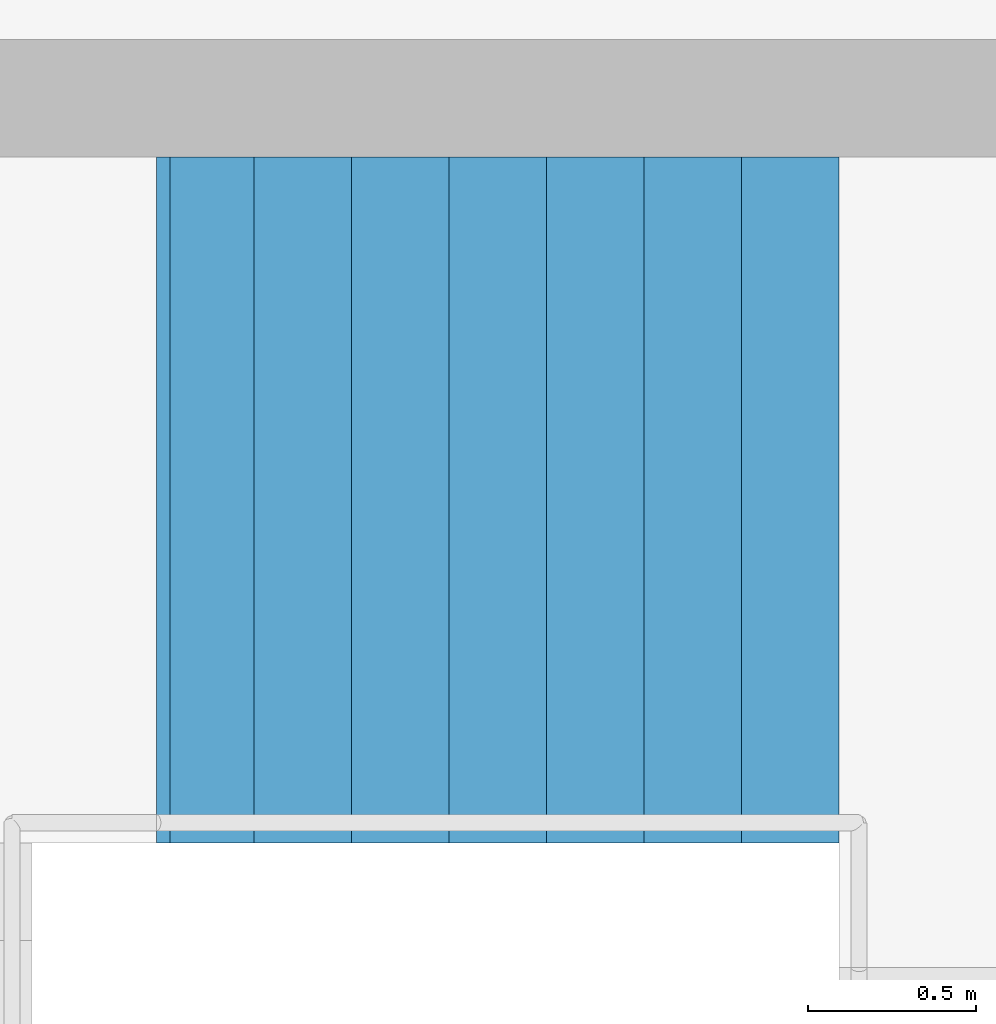
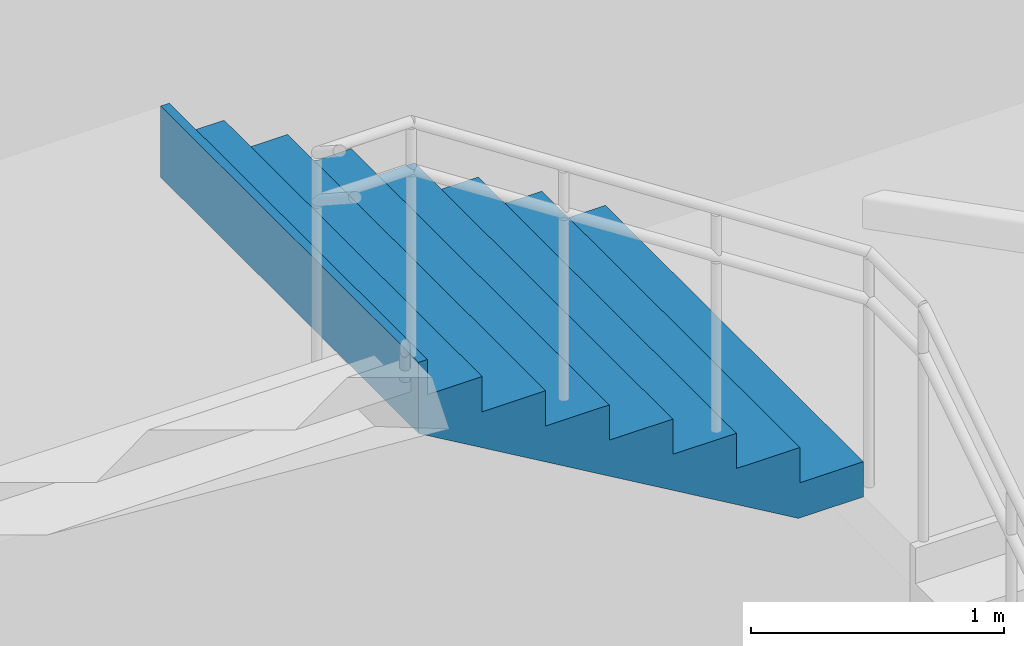
# One storey, part 41 of 50: 1 stair flight, 1 element without a shape of its own.
"""IFC4 building model written with IfcOpenShell, lengths in metres."""

from ifc_helpers import new_model, si_unit, direction, frame, origin, place, context, subcontext, project, spatial, triangles, material, type_object, element, aggregate, save


model = new_model("IFC4")

# Units and contexts
model_context = context("Model", 3, precision=1e-05, world=origin(), true_north=direction((0.0, 1.0)))
body_context = subcontext(model_context, "Body", "Model", "MODEL_VIEW")
ifc_project = project(units=[si_unit("LENGTHUNIT", "METRE"), si_unit("AREAUNIT", "SQUARE_METRE"), si_unit("VOLUMEUNIT", "CUBIC_METRE"), si_unit("PLANEANGLEUNIT", "RADIAN"), si_unit("MASSUNIT", "GRAM", prefix="KILO")], contexts=[model_context])

# Site, building, storey
site_placement = place(None, origin())
site = spatial("IfcSite", under=ifc_project, at=site_placement, CompositionType="ELEMENT")
building_placement = place(site_placement, origin())
building = spatial("IfcBuilding", under=site, at=building_placement, Name="Sillaruma Civic Art Gallery", CompositionType="ELEMENT")
storey_placement = place(building_placement, origin())
storey = spatial("IfcBuildingStorey", under=building, at=storey_placement, Name="L00", CompositionType="ELEMENT", Elevation=0.0)

# Stair, stair flight
ifc_material = material(Name="Concrete H35 (35 MPa)", Category="concrete")
stair_type = type_object("IfcStairType", Name="STR-4F-32", PredefinedType="USERDEFINED", material=ifc_material)
stair_placement = place(storey_placement, origin())
stair = element("IfcStair", 1, at=stair_placement, inside=storey, type_object=stair_type, Name="Protected Exit Stair ST-02 (West Bar North) (L00)", ObjectType="THREE_RETURN_STAIR", PredefinedType="USERDEFINED")
stair_flight_type = type_object("IfcStairFlightType", Name="SFL-STR-8", PredefinedType="STRAIGHT", material=ifc_material)
stair_flight_placement = place(storey_placement, frame((67.199951171875, 86.3701171875, 2.719970703125), z_axis=(0.0, 0.0, 1.0), x_axis=(-1.0, 0.0, 0.0)))
stair_flight = element("IfcStairFlight", 2, at=stair_flight_placement, type_object=stair_flight_type, Name="ST-02 flight 3", NumberOfRisers=8, NumberOfTreads=7, PredefinedType="STRAIGHT", RiserHeight=0.17, TreadLength=0.29, context=body_context, shape_type="Tessellation", body=[
    triangles([(0.0, -1.02001953125, 0.0), (0.29, -1.02001953125, 0.0), (0.296443, -1.02001953125, 0.0), (0.58, -1.02001953125, 0.166223), (0.87, -1.02001953125, 0.336223), (1.16, -1.02001953125, 0.506223), (1.45, -1.02001953125, 0.676223), (1.74, -1.02001953125, 0.846223), (1.990029, -1.02001953125, 0.992792), (2.030029, -1.02001953125, 1.01624), (2.030029, -1.02001953125, 1.36), (1.990029, -1.02001953125, 1.36), (1.990029, -1.02001953125, 1.19), (1.74, -1.02001953125, 1.19), (1.74, -1.02001953125, 1.02), (1.45, -1.02001953125, 1.02), (1.45, -1.02001953125, 0.85), (1.16, -1.02001953125, 0.85), (1.16, -1.02001953125, 0.68), (0.87, -1.02001953125, 0.68), (0.87, -1.02001953125, 0.51), (0.58, -1.02001953125, 0.51), (0.58, -1.02001953125, 0.34), (0.296443, -1.02001953125, 0.34), (0.29, -1.02001953125, 0.34), (0.29, -1.02001953125, 0.17), (0.0, -1.02001953125, 0.17), (0.0, -0.05, 0.0), (0.29, -0.05, 0.0), (0.296443, -0.05, 0.0), (0.58, -0.05, 0.166223), (0.87, -0.05, 0.336223), (1.16, -0.05, 0.506223), (1.45, -0.05, 0.676223), (1.74, -0.05, 0.846223), (1.990029, -0.05, 0.992792), (2.030029, -0.05, 1.01624), (2.030029, -0.05, 1.36), (1.990029, -0.05, 1.36), (1.990029, -0.05, 1.19), (1.74, -0.05, 1.19), (1.74, -0.05, 1.02), (1.45, -0.05, 1.02), (1.45, -0.05, 0.85), (1.16, -0.05, 0.85), (1.16, -0.05, 0.68), (0.87, -0.05, 0.68), (0.87, -0.05, 0.51), (0.58, -0.05, 0.51), (0.58, -0.05, 0.34), (0.296443, -0.05, 0.34), (0.29, -0.05, 0.34), (0.29, -0.05, 0.17), (0.0, -0.05, 0.17), (0.0, -0.0375, 0.0), (0.29, -0.0375, 0.0), (0.296443, -0.0375, 0.0), (0.58, -0.0375, 0.166223), (0.87, -0.0375, 0.336223), (1.16, -0.0375, 0.506223), (1.45, -0.0375, 0.676223), (1.74, -0.0375, 0.846223), (1.990029, -0.0375, 0.992792), (2.030029, -0.0375, 1.01624), (2.030029, -0.0375, 1.36), (1.990029, -0.0375, 1.36), (1.990029, -0.0375, 1.19), (1.74, -0.0375, 1.19), (1.74, -0.0375, 1.02), (1.45, -0.0375, 1.02), (1.45, -0.0375, 0.85), (1.16, -0.0375, 0.85), (1.16, -0.0375, 0.68), (0.87, -0.0375, 0.68), (0.87, -0.0375, 0.51), (0.58, -0.0375, 0.51), (0.58, -0.0375, 0.34), (0.296443, -0.0375, 0.34), (0.29, -0.0375, 0.34), (0.29, -0.0375, 0.17), (0.0, -0.0375, 0.17), (0.0, -0.025, 0.0), (0.29, -0.025, 0.0), (0.296443, -0.025, 0.0), (0.58, -0.025, 0.166223), (0.87, -0.025, 0.336223), (1.16, -0.025, 0.506223), (1.45, -0.025, 0.676223), (1.74, -0.025, 0.846223), (1.990029, -0.025, 0.992792), (2.030029, -0.025, 1.01624), (2.030029, -0.025, 1.36), (1.990029, -0.025, 1.36), (1.990029, -0.025, 1.19), (1.74, -0.025, 1.19), (1.74, -0.025, 1.02), (1.45, -0.025, 1.02), (1.45, -0.025, 0.85), (1.16, -0.025, 0.85), (1.16, -0.025, 0.68), (0.87, -0.025, 0.68), (0.87, -0.025, 0.51), (0.58, -0.025, 0.51), (0.58, -0.025, 0.34), (0.296443, -0.025, 0.34), (0.29, -0.025, 0.34), (0.29, -0.025, 0.17), (0.0, -0.025, 0.17), (0.0, -0.0125, 0.0), (0.29, -0.0125, 0.0), (0.296443, -0.0125, 0.0), (0.58, -0.0125, 0.166223), (0.87, -0.0125, 0.336223), (1.16, -0.0125, 0.506223), (1.45, -0.0125, 0.676223), (1.74, -0.0125, 0.846223), (1.990029, -0.0125, 0.992792), (2.030029, -0.0125, 1.01624), (2.030029, -0.0125, 1.36), (1.990029, -0.0125, 1.36), (1.990029, -0.0125, 1.19), (1.74, -0.0125, 1.19), (1.74, -0.0125, 1.02), (1.45, -0.0125, 1.02), (1.45, -0.0125, 0.85), (1.16, -0.0125, 0.85), (1.16, -0.0125, 0.68), (0.87, -0.0125, 0.68), (0.87, -0.0125, 0.51), (0.58, -0.0125, 0.51), (0.58, -0.0125, 0.34), (0.296443, -0.0125, 0.34), (0.29, -0.0125, 0.34), (0.29, -0.0125, 0.17), (0.0, -0.0125, 0.17), (0.0, 0.0, 0.0), (0.29, 0.0, 0.0), (0.296443, 0.0, 0.0), (0.58, 0.0, 0.166223), (0.87, 0.0, 0.336223), (1.16, 0.0, 0.506223), (1.45, 0.0, 0.676223), (1.74, 0.0, 0.846223), (1.990029, 0.0, 0.992792), (2.030029, 0.0, 1.01624), (2.030029, 0.0, 1.36), (1.990029, 0.0, 1.36), (1.990029, 0.0, 1.19), (1.74, 0.0, 1.19), (1.74, 0.0, 1.02), (1.45, 0.0, 1.02), (1.45, 0.0, 0.85), (1.16, 0.0, 0.85), (1.16, 0.0, 0.68), (0.87, 0.0, 0.68), (0.87, 0.0, 0.51), (0.58, 0.0, 0.51), (0.58, 0.0, 0.34), (0.296443, 0.0, 0.34), (0.29, 0.0, 0.34), (0.29, 0.0, 0.17), (0.0, 0.0, 0.17), (0.0, 0.0125, 0.0), (0.29, 0.0125, 0.0), (0.296443, 0.0125, 0.0), (0.58, 0.0125, 0.166223), (0.87, 0.0125, 0.336223), (1.16, 0.0125, 0.506223), (1.45, 0.0125, 0.676223), (1.74, 0.0125, 0.846223), (1.990029, 0.0125, 0.992792), (2.030029, 0.0125, 1.01624), (2.030029, 0.0125, 1.36), (1.990029, 0.0125, 1.36), (1.990029, 0.0125, 1.19), (1.74, 0.0125, 1.19), (1.74, 0.0125, 1.02), (1.45, 0.0125, 1.02), (1.45, 0.0125, 0.85), (1.16, 0.0125, 0.85), (1.16, 0.0125, 0.68), (0.87, 0.0125, 0.68), (0.87, 0.0125, 0.51), (0.58, 0.0125, 0.51), (0.58, 0.0125, 0.34), (0.296443, 0.0125, 0.34), (0.29, 0.0125, 0.34), (0.29, 0.0125, 0.17), (0.0, 0.0125, 0.17), (0.0, 0.025, 0.0), (0.29, 0.025, 0.0), (0.296443, 0.025, 0.0), (0.58, 0.025, 0.166223), (0.87, 0.025, 0.336223), (1.16, 0.025, 0.506223), (1.45, 0.025, 0.676223), (1.74, 0.025, 0.846223), (1.990029, 0.025, 0.992792), (2.030029, 0.025, 1.01624), (2.030029, 0.025, 1.36), (1.990029, 0.025, 1.36), (1.990029, 0.025, 1.19), (1.74, 0.025, 1.19), (1.74, 0.025, 1.02), (1.45, 0.025, 1.02), (1.45, 0.025, 0.85), (1.16, 0.025, 0.85), (1.16, 0.025, 0.68), (0.87, 0.025, 0.68), (0.87, 0.025, 0.51), (0.58, 0.025, 0.51), (0.58, 0.025, 0.34), (0.296443, 0.025, 0.34), (0.29, 0.025, 0.34), (0.29, 0.025, 0.17), (0.0, 0.025, 0.17), (0.0, 0.0375, 0.0), (0.29, 0.0375, 0.0), (0.296443, 0.0375, 0.0), (0.58, 0.0375, 0.166223), (0.87, 0.0375, 0.336223), (1.16, 0.0375, 0.506223), (1.45, 0.0375, 0.676223), (1.74, 0.0375, 0.846223), (1.990029, 0.0375, 0.992792), (2.030029, 0.0375, 1.01624), (2.030029, 0.0375, 1.36), (1.990029, 0.0375, 1.36), (1.990029, 0.0375, 1.19), (1.74, 0.0375, 1.19), (1.74, 0.0375, 1.02), (1.45, 0.0375, 1.02), (1.45, 0.0375, 0.85), (1.16, 0.0375, 0.85), (1.16, 0.0375, 0.68), (0.87, 0.0375, 0.68), (0.87, 0.0375, 0.51), (0.58, 0.0375, 0.51), (0.58, 0.0375, 0.34), (0.296443, 0.0375, 0.34), (0.29, 0.0375, 0.34), (0.29, 0.0375, 0.17), (0.0, 0.0375, 0.17), (0.0, 0.05, 0.0), (0.29, 0.05, 0.0), (0.296443, 0.05, 0.0), (0.58, 0.05, 0.166223), (0.87, 0.05, 0.336223), (1.16, 0.05, 0.506223), (1.45, 0.05, 0.676223), (1.74, 0.05, 0.846223), (1.990029, 0.05, 0.992792), (2.030029, 0.05, 1.01624), (2.030029, 0.05, 1.36), (1.990029, 0.05, 1.36), (1.990029, 0.05, 1.19), (1.74, 0.05, 1.19), (1.74, 0.05, 1.02), (1.45, 0.05, 1.02), (1.45, 0.05, 0.85), (1.16, 0.05, 0.85), (1.16, 0.05, 0.68), (0.87, 0.05, 0.68), (0.87, 0.05, 0.51), (0.58, 0.05, 0.51), (0.58, 0.05, 0.34), (0.296443, 0.05, 0.34), (0.29, 0.05, 0.34), (0.29, 0.05, 0.17), (0.0, 0.05, 0.17), (0.0, 1.02001953125, 0.0), (0.29, 1.02001953125, 0.0), (0.296443, 1.02001953125, 0.0), (0.58, 1.02001953125, 0.166223), (0.87, 1.02001953125, 0.336223), (1.16, 1.02001953125, 0.506223), (1.45, 1.02001953125, 0.676223), (1.74, 1.02001953125, 0.846223), (1.990029, 1.02001953125, 0.992792), (2.030029, 1.02001953125, 1.01624), (2.030029, 1.02001953125, 1.36), (1.990029, 1.02001953125, 1.36), (1.990029, 1.02001953125, 1.19), (1.74, 1.02001953125, 1.19), (1.74, 1.02001953125, 1.02), (1.45, 1.02001953125, 1.02), (1.45, 1.02001953125, 0.85), (1.16, 1.02001953125, 0.85), (1.16, 1.02001953125, 0.68), (0.87, 1.02001953125, 0.68), (0.87, 1.02001953125, 0.51), (0.58, 1.02001953125, 0.51), (0.58, 1.02001953125, 0.34), (0.296443, 1.02001953125, 0.34), (0.29, 1.02001953125, 0.34), (0.29, 1.02001953125, 0.17), (0.0, 1.02001953125, 0.17)], [[1, 2, 26], [1, 26, 27], [2, 3, 24], [2, 24, 26], [26, 24, 25], [3, 4, 23], [3, 23, 24], [4, 5, 21], [4, 21, 23], [23, 21, 22], [5, 6, 19], [5, 19, 21], [21, 19, 20], [6, 7, 17], [6, 17, 19], [19, 17, 18], [7, 8, 15], [7, 15, 17], [17, 15, 16], [8, 9, 13], [8, 13, 15], [15, 13, 14], [9, 10, 11], [9, 11, 13], [13, 11, 12], [296, 272, 271], [297, 296, 271], [294, 273, 272], [296, 294, 272], [295, 294, 296], [293, 274, 273], [294, 293, 273], [291, 275, 274], [293, 291, 274], [292, 291, 293], [289, 276, 275], [291, 289, 275], [290, 289, 291], [287, 277, 276], [289, 287, 276], [288, 287, 289], [285, 278, 277], [287, 285, 277], [286, 285, 287], [283, 279, 278], [285, 283, 278], [284, 283, 285], [281, 280, 279], [283, 281, 279], [282, 281, 283], [2, 1, 28], [2, 28, 29], [3, 2, 29], [3, 29, 30], [4, 3, 30], [4, 30, 31], [5, 4, 31], [5, 31, 32], [6, 5, 32], [6, 32, 33], [7, 6, 33], [7, 33, 34], [8, 7, 34], [8, 34, 35], [9, 8, 35], [9, 35, 36], [10, 9, 36], [10, 36, 37], [11, 10, 37], [11, 37, 38], [12, 11, 38], [12, 38, 39], [13, 12, 39], [13, 39, 40], [14, 13, 40], [14, 40, 41], [15, 14, 41], [15, 41, 42], [16, 15, 42], [16, 42, 43], [17, 16, 43], [17, 43, 44], [18, 17, 44], [18, 44, 45], [19, 18, 45], [19, 45, 46], [20, 19, 46], [20, 46, 47], [21, 20, 47], [21, 47, 48], [22, 21, 48], [22, 48, 49], [23, 22, 49], [23, 49, 50], [24, 23, 50], [24, 50, 51], [25, 24, 51], [25, 51, 52], [26, 25, 52], [26, 52, 53], [27, 26, 53], [27, 53, 54], [1, 27, 54], [1, 54, 28], [29, 28, 55], [29, 55, 56], [30, 29, 56], [30, 56, 57], [31, 30, 57], [31, 57, 58], [32, 31, 58], [32, 58, 59], [33, 32, 59], [33, 59, 60], [34, 33, 60], [34, 60, 61], [35, 34, 61], [35, 61, 62], [36, 35, 62], [36, 62, 63], [37, 36, 63], [37, 63, 64], [38, 37, 64], [38, 64, 65], [39, 38, 65], [39, 65, 66], [40, 39, 66], [40, 66, 67], [41, 40, 67], [41, 67, 68], [42, 41, 68], [42, 68, 69], [43, 42, 69], [43, 69, 70], [44, 43, 70], [44, 70, 71], [45, 44, 71], [45, 71, 72], [46, 45, 72], [46, 72, 73], [47, 46, 73], [47, 73, 74], [48, 47, 74], [48, 74, 75], [49, 48, 75], [49, 75, 76], [50, 49, 76], [50, 76, 77], [51, 50, 77], [51, 77, 78], [52, 51, 78], [52, 78, 79], [53, 52, 79], [53, 79, 80], [54, 53, 80], [54, 80, 81], [28, 54, 81], [28, 81, 55], [56, 55, 82], [56, 82, 83], [57, 56, 83], [57, 83, 84], [58, 57, 84], [58, 84, 85], [59, 58, 85], [59, 85, 86], [60, 59, 86], [60, 86, 87], [61, 60, 87], [61, 87, 88], [62, 61, 88], [62, 88, 89], [63, 62, 89], [63, 89, 90], [64, 63, 90], [64, 90, 91], [65, 64, 91], [65, 91, 92], [66, 65, 92], [66, 92, 93], [67, 66, 93], [67, 93, 94], [68, 67, 94], [68, 94, 95], [69, 68, 95], [69, 95, 96], [70, 69, 96], [70, 96, 97], [71, 70, 97], [71, 97, 98], [72, 71, 98], [72, 98, 99], [73, 72, 99], [73, 99, 100], [74, 73, 100], [74, 100, 101], [75, 74, 101], [75, 101, 102], [76, 75, 102], [76, 102, 103], [77, 76, 103], [77, 103, 104], [78, 77, 104], [78, 104, 105], [79, 78, 105], [79, 105, 106], [80, 79, 106], [80, 106, 107], [81, 80, 107], [81, 107, 108], [55, 81, 108], [55, 108, 82], [83, 82, 109], [83, 109, 110], [84, 83, 110], [84, 110, 111], [85, 84, 111], [85, 111, 112], [86, 85, 112], [86, 112, 113], [87, 86, 113], [87, 113, 114], [88, 87, 114], [88, 114, 115], [89, 88, 115], [89, 115, 116], [90, 89, 116], [90, 116, 117], [91, 90, 117], [91, 117, 118], [92, 91, 118], [92, 118, 119], [93, 92, 119], [93, 119, 120], [94, 93, 120], [94, 120, 121], [95, 94, 121], [95, 121, 122], [96, 95, 122], [96, 122, 123], [97, 96, 123], [97, 123, 124], [98, 97, 124], [98, 124, 125], [99, 98, 125], [99, 125, 126], [100, 99, 126], [100, 126, 127], [101, 100, 127], [101, 127, 128], [102, 101, 128], [102, 128, 129], [103, 102, 129], [103, 129, 130], [104, 103, 130], [104, 130, 131], [105, 104, 131], [105, 131, 132], [106, 105, 132], [106, 132, 133], [107, 106, 133], [107, 133, 134], [108, 107, 134], [108, 134, 135], [82, 108, 135], [82, 135, 109], [110, 109, 136], [110, 136, 137], [111, 110, 137], [111, 137, 138], [112, 111, 138], [112, 138, 139], [113, 112, 139], [113, 139, 140], [114, 113, 140], [114, 140, 141], [115, 114, 141], [115, 141, 142], [116, 115, 142], [116, 142, 143], [117, 116, 143], [117, 143, 144], [118, 117, 144], [118, 144, 145], [119, 118, 145], [119, 145, 146], [120, 119, 146], [120, 146, 147], [121, 120, 147], [121, 147, 148], [122, 121, 148], [122, 148, 149], [123, 122, 149], [123, 149, 150], [124, 123, 150], [124, 150, 151], [125, 124, 151], [125, 151, 152], [126, 125, 152], [126, 152, 153], [127, 126, 153], [127, 153, 154], [128, 127, 154], [128, 154, 155], [129, 128, 155], [129, 155, 156], [130, 129, 156], [130, 156, 157], [131, 130, 157], [131, 157, 158], [132, 131, 158], [132, 158, 159], [133, 132, 159], [133, 159, 160], [134, 133, 160], [134, 160, 161], [135, 134, 161], [135, 161, 162], [109, 135, 162], [109, 162, 136], [137, 136, 163], [137, 163, 164], [138, 137, 164], [138, 164, 165], [139, 138, 165], [139, 165, 166], [140, 139, 166], [140, 166, 167], [141, 140, 167], [141, 167, 168], [142, 141, 168], [142, 168, 169], [143, 142, 169], [143, 169, 170], [144, 143, 170], [144, 170, 171], [145, 144, 171], [145, 171, 172], [146, 145, 172], [146, 172, 173], [147, 146, 173], [147, 173, 174], [148, 147, 174], [148, 174, 175], [149, 148, 175], [149, 175, 176], [150, 149, 176], [150, 176, 177], [151, 150, 177], [151, 177, 178], [152, 151, 178], [152, 178, 179], [153, 152, 179], [153, 179, 180], [154, 153, 180], [154, 180, 181], [155, 154, 181], [155, 181, 182], [156, 155, 182], [156, 182, 183], [157, 156, 183], [157, 183, 184], [158, 157, 184], [158, 184, 185], [159, 158, 185], [159, 185, 186], [160, 159, 186], [160, 186, 187], [161, 160, 187], [161, 187, 188], [162, 161, 188], [162, 188, 189], [136, 162, 189], [136, 189, 163], [164, 163, 190], [164, 190, 191], [165, 164, 191], [165, 191, 192], [166, 165, 192], [166, 192, 193], [167, 166, 193], [167, 193, 194], [168, 167, 194], [168, 194, 195], [169, 168, 195], [169, 195, 196], [170, 169, 196], [170, 196, 197], [171, 170, 197], [171, 197, 198], [172, 171, 198], [172, 198, 199], [173, 172, 199], [173, 199, 200], [174, 173, 200], [174, 200, 201], [175, 174, 201], [175, 201, 202], [176, 175, 202], [176, 202, 203], [177, 176, 203], [177, 203, 204], [178, 177, 204], [178, 204, 205], [179, 178, 205], [179, 205, 206], [180, 179, 206], [180, 206, 207], [181, 180, 207], [181, 207, 208], [182, 181, 208], [182, 208, 209], [183, 182, 209], [183, 209, 210], [184, 183, 210], [184, 210, 211], [185, 184, 211], [185, 211, 212], [186, 185, 212], [186, 212, 213], [187, 186, 213], [187, 213, 214], [188, 187, 214], [188, 214, 215], [189, 188, 215], [189, 215, 216], [163, 189, 216], [163, 216, 190], [191, 190, 217], [191, 217, 218], [192, 191, 218], [192, 218, 219], [193, 192, 219], [193, 219, 220], [194, 193, 220], [194, 220, 221], [195, 194, 221], [195, 221, 222], [196, 195, 222], [196, 222, 223], [197, 196, 223], [197, 223, 224], [198, 197, 224], [198, 224, 225], [199, 198, 225], [199, 225, 226], [200, 199, 226], [200, 226, 227], [201, 200, 227], [201, 227, 228], [202, 201, 228], [202, 228, 229], [203, 202, 229], [203, 229, 230], [204, 203, 230], [204, 230, 231], [205, 204, 231], [205, 231, 232], [206, 205, 232], [206, 232, 233], [207, 206, 233], [207, 233, 234], [208, 207, 234], [208, 234, 235], [209, 208, 235], [209, 235, 236], [210, 209, 236], [210, 236, 237], [211, 210, 237], [211, 237, 238], [212, 211, 238], [212, 238, 239], [213, 212, 239], [213, 239, 240], [214, 213, 240], [214, 240, 241], [215, 214, 241], [215, 241, 242], [216, 215, 242], [216, 242, 243], [190, 216, 243], [190, 243, 217], [218, 217, 244], [218, 244, 245], [219, 218, 245], [219, 245, 246], [220, 219, 246], [220, 246, 247], [221, 220, 247], [221, 247, 248], [222, 221, 248], [222, 248, 249], [223, 222, 249], [223, 249, 250], [224, 223, 250], [224, 250, 251], [225, 224, 251], [225, 251, 252], [226, 225, 252], [226, 252, 253], [227, 226, 253], [227, 253, 254], [228, 227, 254], [228, 254, 255], [229, 228, 255], [229, 255, 256], [230, 229, 256], [230, 256, 257], [231, 230, 257], [231, 257, 258], [232, 231, 258], [232, 258, 259], [233, 232, 259], [233, 259, 260], [234, 233, 260], [234, 260, 261], [235, 234, 261], [235, 261, 262], [236, 235, 262], [236, 262, 263], [237, 236, 263], [237, 263, 264], [238, 237, 264], [238, 264, 265], [239, 238, 265], [239, 265, 266], [240, 239, 266], [240, 266, 267], [241, 240, 267], [241, 267, 268], [242, 241, 268], [242, 268, 269], [243, 242, 269], [243, 269, 270], [217, 243, 270], [217, 270, 244], [245, 244, 271], [245, 271, 272], [246, 245, 272], [246, 272, 273], [247, 246, 273], [247, 273, 274], [248, 247, 274], [248, 274, 275], [249, 248, 275], [249, 275, 276], [250, 249, 276], [250, 276, 277], [251, 250, 277], [251, 277, 278], [252, 251, 278], [252, 278, 279], [253, 252, 279], [253, 279, 280], [254, 253, 280], [254, 280, 281], [255, 254, 281], [255, 281, 282], [256, 255, 282], [256, 282, 283], [257, 256, 283], [257, 283, 284], [258, 257, 284], [258, 284, 285], [259, 258, 285], [259, 285, 286], [260, 259, 286], [260, 286, 287], [261, 260, 287], [261, 287, 288], [262, 261, 288], [262, 288, 289], [263, 262, 289], [263, 289, 290], [264, 263, 290], [264, 290, 291], [265, 264, 291], [265, 291, 292], [266, 265, 292], [266, 292, 293], [267, 266, 293], [267, 293, 294], [268, 267, 294], [268, 294, 295], [269, 268, 295], [269, 295, 296], [270, 269, 296], [270, 296, 297], [244, 270, 297], [244, 297, 271]], closed=True),
])
aggregate(stair, [stair_flight])

save(model, "model.ifc")
